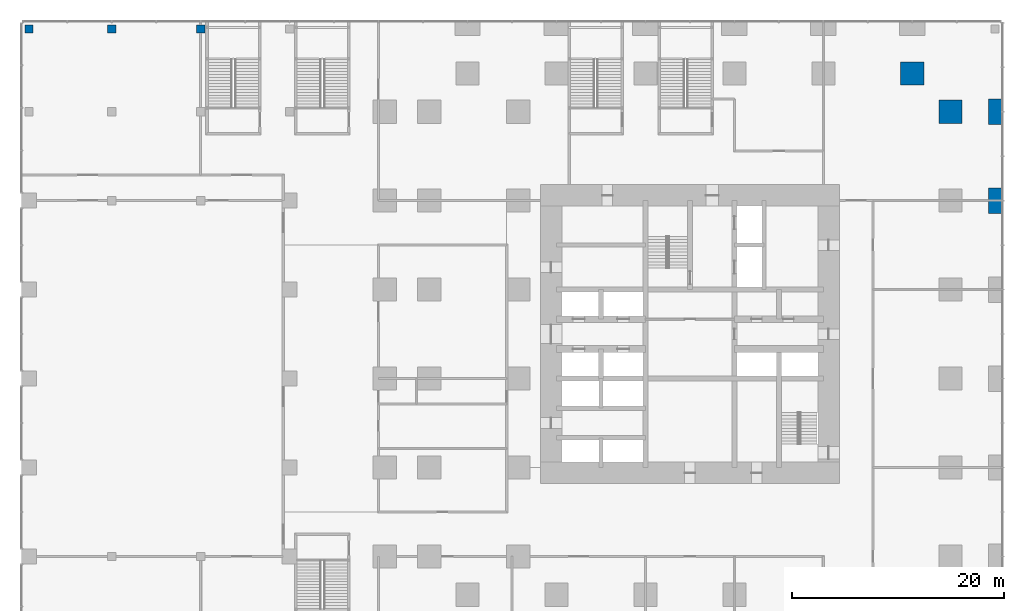
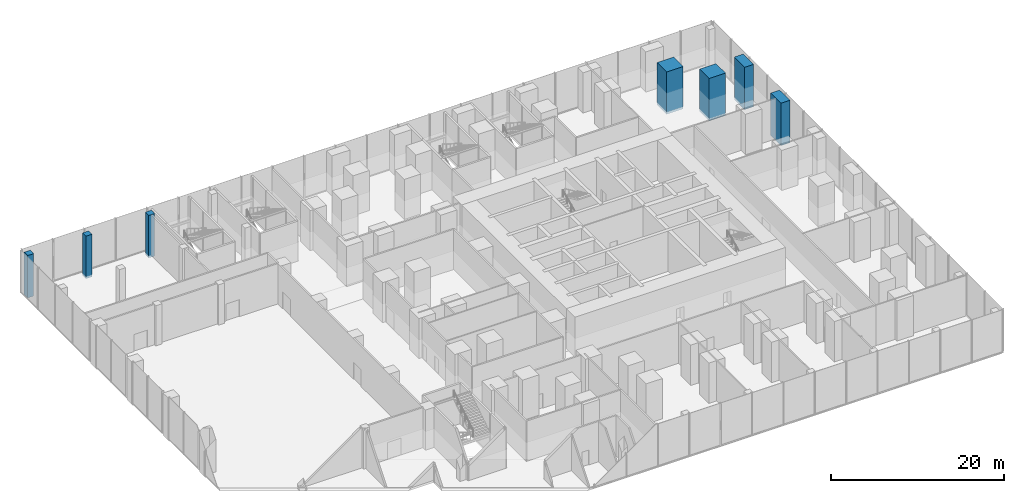
# One storey, part 11 of 32: 7 columns.
"""IFC4 building model written with IfcOpenShell, lengths in metres."""

import ifcopenshell
import ifcopenshell.guid

model = None  # the IFC model being written
_history = None  # IfcOwnerHistory: only IFC2X3 demands one
_inside = {}  # id of a spatial element -> (the spatial element, [elements in it])
_under = {}  # id of a project, library or spatial element -> (it, [spatial elements below it])
_declared = {}  # id of a project -> (the project, [libraries it declares])
_typed = {}  # id of a type object -> (the type object, [elements of that type])
_made_of = {}  # id of a material, layer set ... -> (it, [elements and type objects made of it])


def new_model(schema):
    """Start an empty IFC model of exactly this schema.

    Asked for "IFC4X3", IfcOpenShell would pick the latest addendum, in which some entities
    have other attributes; the version numbers below select the first issue.
    IFC2X3 requires an IfcOwnerHistory on every rooted entity: one is made here for all.
    """
    global model, _history
    if schema == "IFC4X3":
        model = ifcopenshell.file(schema_version=(4, 3, 0, 0))
    else:
        model = ifcopenshell.file(schema=schema)
    _inside.clear()
    _under.clear()
    _declared.clear()
    _typed.clear()
    _made_of.clear()
    _history = None
    if model.schema == "IFC2X3":
        org = make("IfcOrganization", Name="unknown")
        user = make(
            "IfcPersonAndOrganization",
            ThePerson=make("IfcPerson", FamilyName="unknown"),
            TheOrganization=org,
        )
        app = make(
            "IfcApplication",
            ApplicationDeveloper=org,
            Version="unknown",
            ApplicationFullName="unknown",
            ApplicationIdentifier="unknown",
        )
        _history = make(
            "IfcOwnerHistory",
            OwningUser=user,
            OwningApplication=app,
            ChangeAction="ADDED",
            CreationDate=0,
        )
    return model


def make(cls, **values):
    """One entity of the class cls with the attributes given. An attribute that is None is left unset."""
    return model.create_entity(
        cls, **{name: value for name, value in values.items() if value is not None}
    )


def rooted(cls, **values):
    """An entity with a GlobalId (a new one), such as an element, a storey or a relation."""
    return make(cls, GlobalId=ifcopenshell.guid.new(), OwnerHistory=_history, **values)


def si_unit(unit_type, name, prefix=None):
    """IfcSIUnit, for example si_unit("LENGTHUNIT", "METRE", prefix="MILLI")."""
    return make("IfcSIUnit", UnitType=unit_type, Prefix=prefix, Name=name)


def assignment(units):
    """IfcUnitAssignment: the units of a project."""
    return None if units is None else make("IfcUnitAssignment", Units=units)


def point(xyz):
    """IfcCartesianPoint."""
    return None if xyz is None else make("IfcCartesianPoint", Coordinates=xyz)


def direction(xyz):
    """IfcDirection."""
    return None if xyz is None else make("IfcDirection", DirectionRatios=xyz)


def frame(location, z_axis=None, x_axis=None):
    """IfcAxis2Placement3D, a coordinate frame: its origin and axes. An axis left out is left unset."""
    return make(
        "IfcAxis2Placement3D",
        Location=point(location),
        Axis=direction(z_axis),
        RefDirection=direction(x_axis),
    )


def frame_2d(location, x_axis=None):
    """IfcAxis2Placement2D, a coordinate frame in the plane: its origin and x axis."""
    return make(
        "IfcAxis2Placement2D", Location=point(location), RefDirection=direction(x_axis)
    )


def origin():
    """The frame at (0, 0, 0) with its axes left unset."""
    return frame((0.0, 0.0, 0.0))


def origin_2d():
    """The frame at (0, 0) in the plane with its x axis left unset."""
    return frame_2d((0.0, 0.0))


def place(relative_to, where):
    """IfcLocalPlacement: puts the frame where relative to a parent placement (None: the world)."""
    return make(
        "IfcLocalPlacement", PlacementRelTo=relative_to, RelativePlacement=where
    )


def context(
    kind, dimensions, precision=None, world=None, true_north=None, identifier=None
):
    """IfcGeometricRepresentationContext, for example the 3D "Model" context."""
    return make(
        "IfcGeometricRepresentationContext",
        ContextIdentifier=identifier,
        ContextType=kind,
        CoordinateSpaceDimension=dimensions,
        Precision=precision,
        WorldCoordinateSystem=world,
        TrueNorth=true_north,
    )


def subcontext(parent, identifier, kind, view, scale=None):
    """IfcGeometricRepresentationSubContext, for example "Body" below "Model"."""
    return make(
        "IfcGeometricRepresentationSubContext",
        ContextIdentifier=identifier,
        ContextType=kind,
        ParentContext=parent,
        TargetScale=scale,
        TargetView=view,
    )


def project(units=None, contexts=None):
    """IfcProject with its units and contexts."""
    return rooted(
        "IfcProject",
        Name="project",
        RepresentationContexts=contexts,
        UnitsInContext=assignment(units),
    )


def spatial(cls, under=None, at=None, **own):
    """A site, building, storey or space (cls), placed at a placement, below another one or the project."""
    s = rooted(cls, ObjectPlacement=at, **own)
    if under is not None:
        _under.setdefault(under.id(), (under, []))[1].append(s)
    return s


def profile(cls, at=None, kind="AREA", **sizes):
    """A parametric profile (cls). Its sizes go by their IFC names, for example OverallWidth=200.0."""
    return make(cls, ProfileType=kind, Position=at, **sizes)


def rectangle(**sizes):
    """IfcRectangleProfileDef."""
    return profile("IfcRectangleProfileDef", **sizes)


def extrude(swept, where, along, depth):
    """IfcExtrudedAreaSolid: the profile swept, set in the frame where, extruded along a direction by depth."""
    return make(
        "IfcExtrudedAreaSolid",
        SweptArea=swept,
        Position=where,
        ExtrudedDirection=direction(along),
        Depth=depth,
    )


def shape(context_of_items, identifier, shape_type, items):
    """IfcShapeRepresentation: the items that make up one representation, for example the "Body"."""
    return make(
        "IfcShapeRepresentation",
        ContextOfItems=context_of_items,
        RepresentationIdentifier=identifier,
        RepresentationType=shape_type,
        Items=items,
    )


def material(Name=None, Category=None):
    """IfcMaterial."""
    return make("IfcMaterial", Name=Name, Category=Category)


def material_profile(
    of_material, cross_section, Name=None, Category=None, Priority=None
):
    """IfcMaterialProfile: a cross section and its material."""
    return make(
        "IfcMaterialProfile",
        Name=Name,
        Material=of_material,
        Profile=cross_section,
        Priority=Priority,
        Category=Category,
    )


def profile_set(profiles, Name=None, composite=None):
    """IfcMaterialProfileSet."""
    return make(
        "IfcMaterialProfileSet",
        Name=Name,
        MaterialProfiles=profiles,
        CompositeProfile=composite,
    )


def made_of(thing, what):
    """Note that an element or type object is made of a material, layer set ...; save() writes the relation."""
    if what is not None:
        _made_of.setdefault(what.id(), (what, []))[1].append(thing)
    return thing


def type_object(cls, material=None, **own):
    """A type object (cls), such as IfcWallType, which elements share."""
    return made_of(rooted(cls, **own), material)


def element(
    cls,
    number,
    at=None,
    inside=None,
    cuts=None,
    type_object=None,
    material=None,
    context=None,
    identifier="Body",
    shape_type=None,
    held_by="IfcProductDefinitionShape",
    body=None,
    shapes=None,
    **own,
):
    """One element of the class cls, such as IfcWall. Its Tag is "e" and its number.

    at: its placement. inside: the storey or other place that contains it. cuts: it is an
    opening in that element (IfcRelVoidsElement). A single representation is given by context,
    identifier, shape_type and body (its items); several are given by shapes. held_by: the class
    of the entity that holds the representations. save() writes the other relations.
    """
    e = rooted(cls, Tag="e%d" % number, ObjectPlacement=at, **own)
    if body is not None:
        shapes = [shape(context, identifier, shape_type, body)]
    if shapes is not None:
        e.Representation = make(held_by, Representations=shapes)
    if inside is not None:
        _inside.setdefault(inside.id(), (inside, []))[1].append(e)
    if cuts is not None:
        rooted(
            "IfcRelVoidsElement", RelatingBuildingElement=cuts, RelatedOpeningElement=e
        )
    if type_object is not None:
        _typed.setdefault(type_object.id(), (type_object, []))[1].append(e)
    return made_of(e, material)


def aggregate(whole, parts):
    """IfcRelAggregates: a whole, such as a stair, and the parts it consists of."""
    return rooted("IfcRelAggregates", RelatingObject=whole, RelatedObjects=parts)


def save(model, path):
    """Write the relations noted so far, then the file.

    IfcRelAggregates (storeys below a building ...), IfcRelContainedInSpatialStructure (elements
    in a storey), IfcRelDefinesByType, IfcRelAssociatesMaterial and IfcRelDeclares: one each for
    every whole, place, type object, material and project.
    """
    for whole, parts in _under.values():
        aggregate(whole, parts)
    for where, things in _inside.values():
        rooted(
            "IfcRelContainedInSpatialStructure",
            RelatedElements=things,
            RelatingStructure=where,
        )
    for kind, things in _typed.values():
        rooted("IfcRelDefinesByType", RelatedObjects=things, RelatingType=kind)
    for what, things in _made_of.values():
        rooted("IfcRelAssociatesMaterial", RelatedObjects=things, RelatingMaterial=what)
    for by, libraries in _declared.values():
        rooted("IfcRelDeclares", RelatingContext=by, RelatedDefinitions=libraries)
    model.write(path)


model = new_model("IFC4")

# Units and contexts
model_context = context("Model", 3, precision=1e-05, world=origin(), true_north=direction((0.0, 1.0)))
body_context = subcontext(model_context, "Body", "Model", "MODEL_VIEW")
ifc_project = project(units=[si_unit("LENGTHUNIT", "METRE"), si_unit("AREAUNIT", "SQUARE_METRE"), si_unit("VOLUMEUNIT", "CUBIC_METRE"), si_unit("PLANEANGLEUNIT", "RADIAN"), si_unit("MASSUNIT", "GRAM", prefix="KILO")], contexts=[model_context])

# Site, building, storey
site_placement = place(None, origin())
site = spatial("IfcSite", under=ifc_project, at=site_placement, CompositionType="ELEMENT")
building_placement = place(site_placement, origin())
building = spatial("IfcBuilding", under=site, at=building_placement, Name="Dunama Terrace Hotel", CompositionType="ELEMENT")
storey_placement = place(building_placement, frame((0.0, 0.0, 6.0)))
storey = spatial("IfcBuildingStorey", under=building, at=storey_placement, Name="L01", CompositionType="ELEMENT", Elevation=6.0)

# Columns
ifc_material_1 = material(Name="Concrete C60/75", Category="concrete")
ifc_material_profile_1 = material_profile(ifc_material_1, rectangle(XDim=1.199951171875, YDim=2.39990234375, at=origin_2d()), Name="RC 1200x2400")
ifc_profile_set_1 = profile_set([ifc_material_profile_1], Name="Concrete C60/75")
column_type_1 = type_object("IfcColumnType", Name="Column RC 1200x2400", PredefinedType="COLUMN", material=ifc_profile_set_1)
for number, where, z_axis, x_axis, name in (
    (1, (58.199951171875, 42.0, -0.300048828125), (0.0, 0.0, 1.0), (1.0, 0.0, 0.0), "Column L01 +58.2/+42.0"),
    (2, (58.199951171875, 50.39990234375, -0.300048828125), (0.0, 0.0, 1.0), (1.0, 0.0, 0.0), "Column L01 +58.2/+50.4"),
):
    element("IfcColumn", number, at=place(storey_placement, frame(where, z_axis=z_axis, x_axis=x_axis)), inside=storey, type_object=column_type_1, Name=name, PredefinedType="COLUMN", context=body_context, shape_type="SweptSolid", body=[
        extrude(rectangle(XDim=1.199951171875, YDim=2.39990234375, at=origin_2d()), origin(), (0.0, 0.0, 1.0), 6.0),
    ])
ifc_material_2 = material(Name="Concrete C60/75", Category="concrete")
ifc_material_profile_2 = material_profile(ifc_material_2, rectangle(XDim=2.199951171875, YDim=2.199951171875, at=origin_2d()), Name="RC 2200x2200")
ifc_profile_set_2 = profile_set([ifc_material_profile_2], Name="Concrete C60/75")
column_type_2 = type_object("IfcColumnType", Name="Column RC 2200x2200", PredefinedType="COLUMN", material=ifc_profile_set_2)
for number, where, z_axis, x_axis, name in (
    (3, (50.39990234375, 54.0, -0.300048828125), (0.0, 0.0, 1.0), (1.0, 0.0, 0.0), "Column L01 +50.4/+54.0"),
    (4, (54.0, 50.39990234375, -0.300048828125), (0.0, 0.0, 1.0), (1.0, 0.0, 0.0), "Column L01 +54.0/+50.4"),
):
    element("IfcColumn", number, at=place(storey_placement, frame(where, z_axis=z_axis, x_axis=x_axis)), inside=storey, type_object=column_type_2, Name=name, PredefinedType="COLUMN", context=body_context, shape_type="SweptSolid", body=[
        extrude(rectangle(XDim=2.199951171875, YDim=2.199951171875, at=origin_2d()), origin(), (0.0, 0.0, 1.0), 6.0),
    ])
ifc_material_3 = material(Name="Concrete C40/50", Category="concrete")
ifc_material_profile_3 = material_profile(ifc_material_3, rectangle(XDim=0.800048828125, YDim=0.800048828125, at=origin_2d()), Name="RC 800x800")
ifc_profile_set_3 = profile_set([ifc_material_profile_3], Name="Concrete C40/50")
column_type_3 = type_object("IfcColumnType", Name="Column RC 800x800", PredefinedType="COLUMN", material=ifc_profile_set_3)
for number, where, z_axis, x_axis, name in (
    (5, (-33.0, 58.199951171875, -0.300048828125), (0.0, 0.0, 1.0), (1.0, 0.0, 0.0), "Column L01 -33.0/+58.2"),
    (6, (-25.199951171875, 58.199951171875, -0.300048828125), (0.0, 0.0, 1.0), (1.0, 0.0, 0.0), "Column L01 -25.2/+58.2"),
    (7, (-16.800048828125, 58.199951171875, -0.300048828125), (0.0, 0.0, 1.0), (1.0, 0.0, 0.0), "Column L01 -16.8/+58.2"),
):
    element("IfcColumn", number, at=place(storey_placement, frame(where, z_axis=z_axis, x_axis=x_axis)), inside=storey, type_object=column_type_3, Name=name, PredefinedType="COLUMN", context=body_context, shape_type="SweptSolid", body=[
        extrude(rectangle(XDim=0.800048828125, YDim=0.800048828125, at=origin_2d()), origin(), (0.0, 0.0, 1.0), 6.0),
    ])

save(model, "model.ifc")
